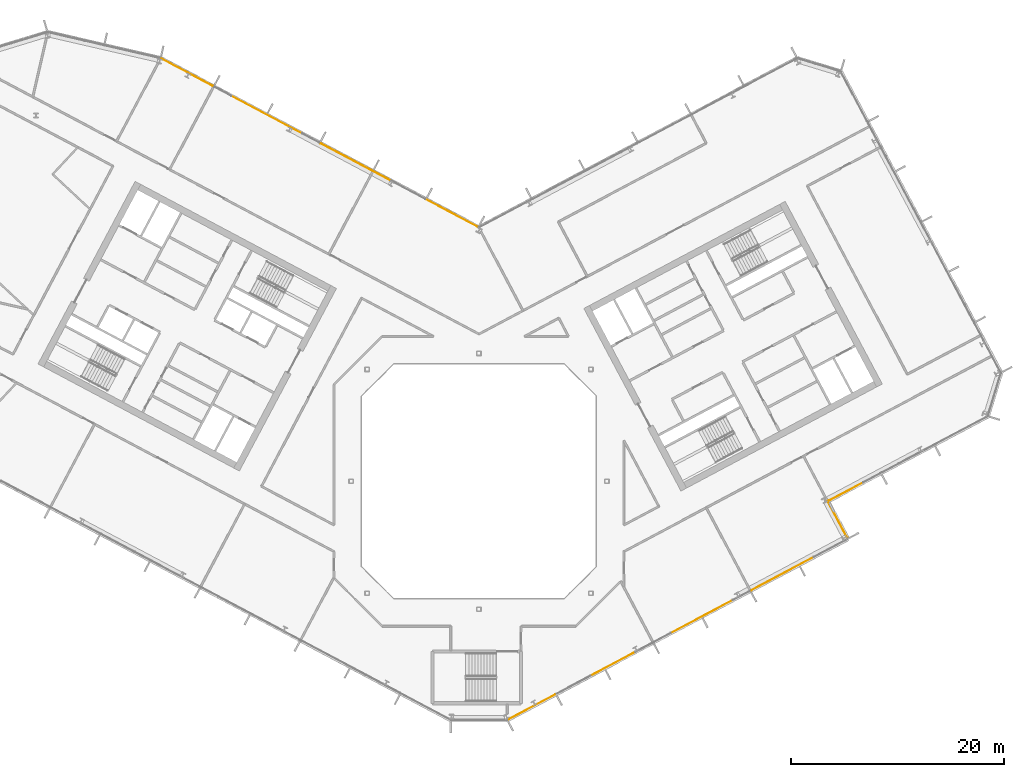
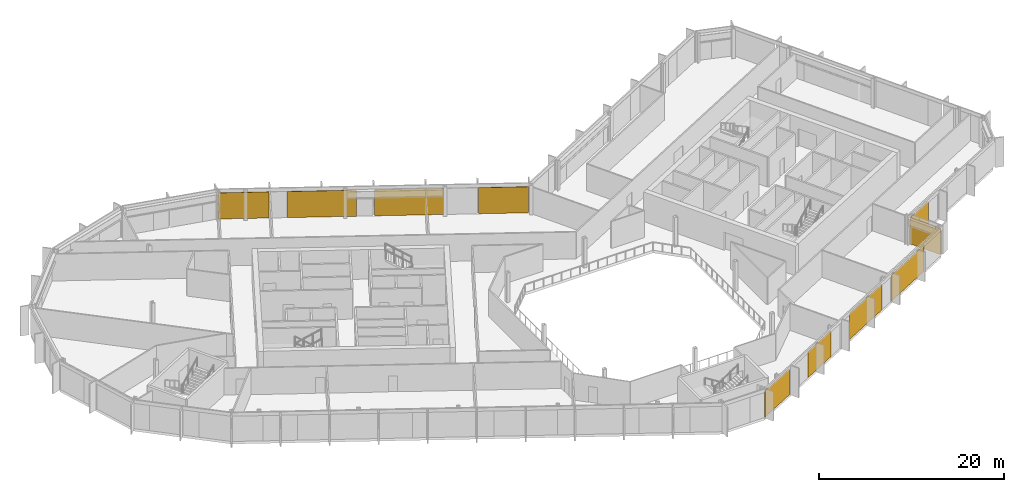
# One storey, part 23 of 26: 10 coverings, 4 elements without a shape of their own.
"""IFC4 building model written with IfcOpenShell, lengths in metres."""

from ifc_helpers import new_model, si_unit, direction, frame, origin, origin_2d, place, context, subcontext, project, spatial, rectangle, extrude, material, layer, layer_set, type_object, element, aggregate, save


model = new_model("IFC4")

# Units and contexts
model_context = context("Model", 3, precision=1e-05, world=origin(), true_north=direction((0.0, 1.0)))
body_context = subcontext(model_context, "Body", "Model", "MODEL_VIEW")
ifc_project = project(units=[si_unit("LENGTHUNIT", "METRE"), si_unit("AREAUNIT", "SQUARE_METRE"), si_unit("VOLUMEUNIT", "CUBIC_METRE"), si_unit("PLANEANGLEUNIT", "RADIAN"), si_unit("MASSUNIT", "GRAM", prefix="KILO")], contexts=[model_context])

# Site, building, storey
site_placement = place(None, origin())
site = spatial("IfcSite", under=ifc_project, at=site_placement, CompositionType="ELEMENT")
building_placement = place(site_placement, origin())
building = spatial("IfcBuilding", under=site, at=building_placement, Name="Cormorant Relay Tower", CompositionType="ELEMENT")
storey_placement = place(building_placement, frame((0.0, 0.0, 228.60009765625)))
storey = spatial("IfcBuildingStorey", under=building, at=storey_placement, Name="L50", CompositionType="ELEMENT", Elevation=228.60009765625)

# Curtain wall, coverings
ifc_material_1 = material(Name="Aluminium 6063-T6 anodised bronze", Category="aluminium")
ifc_layer_1 = layer(ifc_material_1, 0.199951171875)
ifc_layer_set_1 = layer_set([ifc_layer_1], Name="CW1 unitised bronze curtain wall with vertical fins")
curtain_wall_type = type_object("IfcCurtainWallType", Name="CW1 unitised bronze curtain wall with vertical fins", PredefinedType="NOTDEFINED", material=ifc_layer_set_1)
curtain_wall_1_placement = place(storey_placement, origin())
curtain_wall_1 = element("IfcCurtainWall", 1, at=curtain_wall_1_placement, inside=storey, type_object=curtain_wall_type, Name="CW1 curtain wall 2", PredefinedType="NOTDEFINED")
ifc_material_2 = material(Name="Pale bronze anodised aluminium insulated panel", Category="aluminium")
ifc_layer_2 = layer(ifc_material_2, 0.0400390625)
ifc_layer_set_2 = layer_set([ifc_layer_2], Name="CW1 pale bronze insulated panel 40")
covering_type = type_object("IfcCoveringType", Name="CW1 pale bronze insulated panel 40", PredefinedType="CLADDING", material=ifc_layer_set_2)
covering_1_placement = place(storey_placement, frame((4.939208984375, -21.180419921875, 0.0), z_axis=(0.0, 0.0, 1.0), x_axis=(0.882947592859, 0.469471562786, 0.0)))
covering_1 = element("IfcCovering", 2, at=covering_1_placement, type_object=covering_type, Name="CW1 panel S00", PredefinedType="CLADDING", context=body_context, shape_type="SweptSolid", body=[
    extrude(rectangle(XDim=5.0166015625, YDim=0.0400390625, at=origin_2d()), origin(), (0.0, 0.0, 1.0), 3.449951171875),
])
covering_2_placement = place(storey_placement, frame((12.576416015625, -17.11962890625, 0.0), z_axis=(0.0, 0.0, 1.0), x_axis=(0.882947592859, 0.469471562786, 0.0)))
covering_2 = element("IfcCovering", 3, at=covering_2_placement, type_object=covering_type, Name="CW1 panel S02", PredefinedType="CLADDING", context=body_context, shape_type="SweptSolid", body=[
    extrude(rectangle(XDim=4.783203125, YDim=0.0400390625, at=origin_2d()), origin(), (0.0, 0.0, 1.0), 3.449951171875),
])
covering_3_placement = place(storey_placement, frame((20.905517578125, -12.69091796875, 0.0), z_axis=(0.0, 0.0, 1.0), x_axis=(0.882947592859, 0.469471562786, 0.0)))
covering_3 = element("IfcCovering", 4, at=covering_3_placement, type_object=covering_type, Name="CW1 panel S05", PredefinedType="CLADDING", context=body_context, shape_type="SweptSolid", body=[
    extrude(rectangle(XDim=6.5830078125, YDim=0.0400390625, at=origin_2d()), origin(), (0.0, 0.0, 1.0), 3.449951171875),
])
covering_4_placement = place(storey_placement, frame((28.472900390625, -8.667236328125, 0.0), z_axis=(0.0, 0.0, 1.0), x_axis=(0.882947592859, 0.469471562786, 0.0)))
covering_4 = element("IfcCovering", 5, at=covering_4_placement, type_object=covering_type, Name="CW1 panel S07", PredefinedType="CLADDING", context=body_context, shape_type="SweptSolid", body=[
    extrude(rectangle(XDim=6.658203125, YDim=0.0400390625, at=origin_2d()), origin(), (0.0, 0.0, 1.0), 3.449951171875),
])
aggregate(curtain_wall_1, [covering_1, covering_2, covering_3, covering_4])

# Curtain wall, covering
curtain_wall_2_placement = place(storey_placement, origin())
curtain_wall_2 = element("IfcCurtainWall", 6, at=curtain_wall_2_placement, inside=storey, type_object=curtain_wall_type, Name="CW1 curtain wall 3", PredefinedType="NOTDEFINED")
covering_5_placement = place(storey_placement, frame((33.642578125, -3.58837890625, 0.0), z_axis=(0.0, 0.0, 1.0), x_axis=(-0.469471562786, 0.882947592859, 0.0)))
covering_5 = element("IfcCovering", 7, at=covering_5_placement, type_object=covering_type, Name="CW1 panel S00", PredefinedType="CLADDING", context=body_context, shape_type="SweptSolid", body=[
    extrude(rectangle(XDim=3.925048828125, YDim=0.0400390625, at=origin_2d()), origin(), (0.0, 0.0, 1.0), 3.449951171875),
])
aggregate(curtain_wall_2, [covering_5])

curtain_wall_3_placement = place(storey_placement, origin())
curtain_wall_3 = element("IfcCurtainWall", 8, at=curtain_wall_3_placement, inside=storey, type_object=curtain_wall_type, Name="CW1 curtain wall 4", PredefinedType="NOTDEFINED")
covering_6_placement = place(storey_placement, frame((34.453125, -0.957275390625, 0.0), z_axis=(0.0, 0.0, 1.0), x_axis=(0.882947592859, 0.469471562786, 0.0)))
covering_6 = element("IfcCovering", 9, at=covering_6_placement, type_object=covering_type, Name="CW1 panel S00", PredefinedType="CLADDING", context=body_context, shape_type="SweptSolid", body=[
    extrude(rectangle(XDim=3.6416015625, YDim=0.0400390625, at=origin_2d()), origin(), (0.0, 0.0, 1.0), 3.449951171875),
])
aggregate(curtain_wall_3, [covering_6])

# Curtain wall, coverings
curtain_wall_4_placement = place(storey_placement, origin())
curtain_wall_4 = element("IfcCurtainWall", 10, at=curtain_wall_4_placement, inside=storey, type_object=curtain_wall_type, Name="CW1 curtain wall 9", PredefinedType="NOTDEFINED")
covering_7_placement = place(storey_placement, frame((-2.51318359375, 25.142822265625, 0.0), z_axis=(0.0, 0.0, 1.0), x_axis=(-0.882947592859, 0.469471562786, 0.0)))
covering_7 = element("IfcCovering", 11, at=covering_7_placement, type_object=covering_type, Name="CW1 panel S00", PredefinedType="CLADDING", context=body_context, shape_type="SweptSolid", body=[
    extrude(rectangle(XDim=5.4140625, YDim=0.0400390625, at=origin_2d()), origin(), (0.0, 0.0, 1.0), 3.449951171875),
])
covering_8_placement = place(storey_placement, frame((-11.537841796875, 29.94140625, 0.0), z_axis=(0.0, 0.0, 1.0), x_axis=(-0.882947592859, 0.469471562786, 0.0)))
covering_8 = element("IfcCovering", 12, at=covering_8_placement, type_object=covering_type, Name="CW1 panel S02", PredefinedType="CLADDING", context=body_context, shape_type="SweptSolid", body=[
    extrude(rectangle(XDim=7.528076171875, YDim=0.0400390625, at=origin_2d()), origin(), (0.0, 0.0, 1.0), 3.449951171875),
])
covering_9_placement = place(storey_placement, frame((-19.906494140625, 34.39111328125, 0.0), z_axis=(0.0, 0.0, 1.0), x_axis=(-0.882947592859, 0.469471562786, 0.0)))
covering_9 = element("IfcCovering", 13, at=covering_9_placement, type_object=covering_type, Name="CW1 panel S04", PredefinedType="CLADDING", context=body_context, shape_type="SweptSolid", body=[
    extrude(rectangle(XDim=7.528076171875, YDim=0.0400390625, at=origin_2d()), origin(), (0.0, 0.0, 1.0), 3.449951171875),
])
covering_10_placement = place(storey_placement, frame((-27.407958984375, 38.379638671875, 0.0), z_axis=(0.0, 0.0, 1.0), x_axis=(-0.882947592859, 0.469471562786, 0.0)))
covering_10 = element("IfcCovering", 14, at=covering_10_placement, type_object=covering_type, Name="CW1 panel S06", PredefinedType="CLADDING", context=body_context, shape_type="SweptSolid", body=[
    extrude(rectangle(XDim=5.56396484375, YDim=0.0400390625, at=origin_2d()), origin(), (0.0, 0.0, 1.0), 3.449951171875),
])
aggregate(curtain_wall_4, [covering_7, covering_8, covering_9, covering_10])

save(model, "model.ifc")
